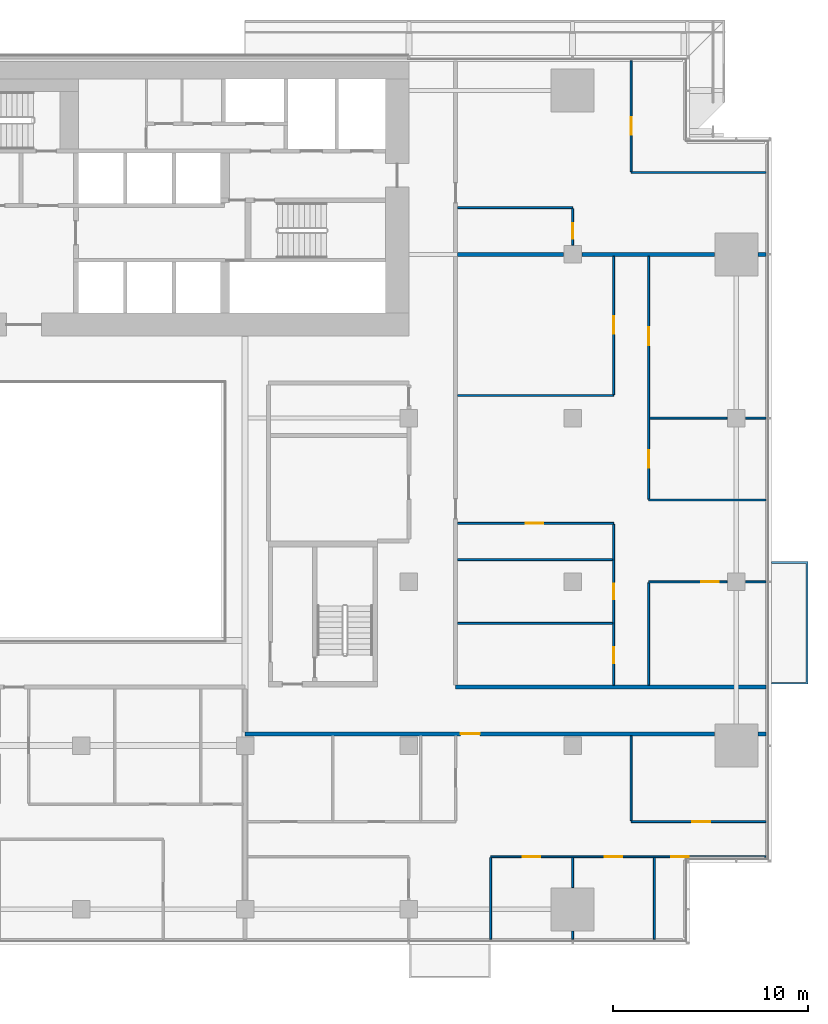
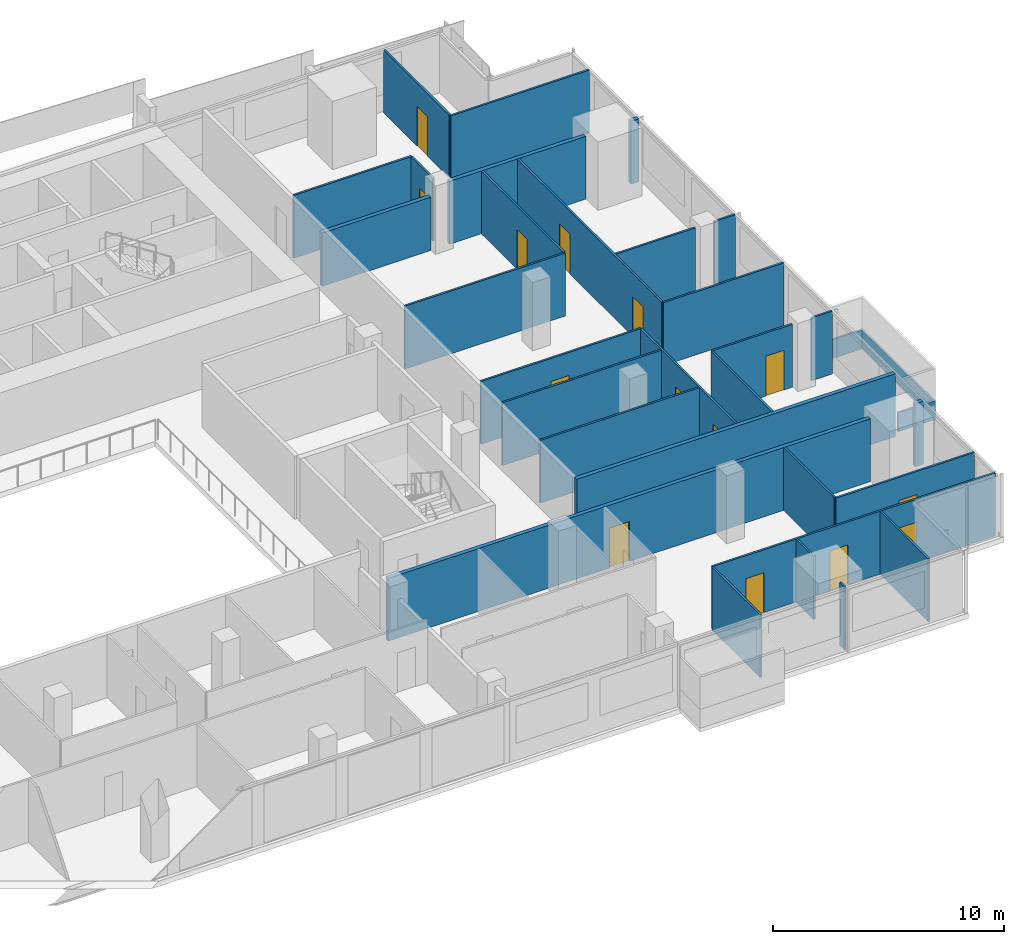
# One storey, part 23 of 29: 31 walls, 14 doors, 14 openings.
"""IFC4 building model written with IfcOpenShell, lengths in metres."""

import ifcopenshell
import ifcopenshell.guid

model = None  # the IFC model being written
_history = None  # IfcOwnerHistory: only IFC2X3 demands one
_inside = {}  # id of a spatial element -> (the spatial element, [elements in it])
_under = {}  # id of a project, library or spatial element -> (it, [spatial elements below it])
_declared = {}  # id of a project -> (the project, [libraries it declares])
_typed = {}  # id of a type object -> (the type object, [elements of that type])
_made_of = {}  # id of a material, layer set ... -> (it, [elements and type objects made of it])


def new_model(schema):
    """Start an empty IFC model of exactly this schema.

    Asked for "IFC4X3", IfcOpenShell would pick the latest addendum, in which some entities
    have other attributes; the version numbers below select the first issue.
    IFC2X3 requires an IfcOwnerHistory on every rooted entity: one is made here for all.
    """
    global model, _history
    if schema == "IFC4X3":
        model = ifcopenshell.file(schema_version=(4, 3, 0, 0))
    else:
        model = ifcopenshell.file(schema=schema)
    _inside.clear()
    _under.clear()
    _declared.clear()
    _typed.clear()
    _made_of.clear()
    _history = None
    if model.schema == "IFC2X3":
        org = make("IfcOrganization", Name="unknown")
        user = make(
            "IfcPersonAndOrganization",
            ThePerson=make("IfcPerson", FamilyName="unknown"),
            TheOrganization=org,
        )
        app = make(
            "IfcApplication",
            ApplicationDeveloper=org,
            Version="unknown",
            ApplicationFullName="unknown",
            ApplicationIdentifier="unknown",
        )
        _history = make(
            "IfcOwnerHistory",
            OwningUser=user,
            OwningApplication=app,
            ChangeAction="ADDED",
            CreationDate=0,
        )
    return model


def make(cls, **values):
    """One entity of the class cls with the attributes given. An attribute that is None is left unset."""
    return model.create_entity(
        cls, **{name: value for name, value in values.items() if value is not None}
    )


def rooted(cls, **values):
    """An entity with a GlobalId (a new one), such as an element, a storey or a relation."""
    return make(cls, GlobalId=ifcopenshell.guid.new(), OwnerHistory=_history, **values)


def si_unit(unit_type, name, prefix=None):
    """IfcSIUnit, for example si_unit("LENGTHUNIT", "METRE", prefix="MILLI")."""
    return make("IfcSIUnit", UnitType=unit_type, Prefix=prefix, Name=name)


def assignment(units):
    """IfcUnitAssignment: the units of a project."""
    return None if units is None else make("IfcUnitAssignment", Units=units)


def point(xyz):
    """IfcCartesianPoint."""
    return None if xyz is None else make("IfcCartesianPoint", Coordinates=xyz)


def direction(xyz):
    """IfcDirection."""
    return None if xyz is None else make("IfcDirection", DirectionRatios=xyz)


def frame(location, z_axis=None, x_axis=None):
    """IfcAxis2Placement3D, a coordinate frame: its origin and axes. An axis left out is left unset."""
    return make(
        "IfcAxis2Placement3D",
        Location=point(location),
        Axis=direction(z_axis),
        RefDirection=direction(x_axis),
    )


def frame_2d(location, x_axis=None):
    """IfcAxis2Placement2D, a coordinate frame in the plane: its origin and x axis."""
    return make(
        "IfcAxis2Placement2D", Location=point(location), RefDirection=direction(x_axis)
    )


def origin():
    """The frame at (0, 0, 0) with its axes left unset."""
    return frame((0.0, 0.0, 0.0))


def place(relative_to, where):
    """IfcLocalPlacement: puts the frame where relative to a parent placement (None: the world)."""
    return make(
        "IfcLocalPlacement", PlacementRelTo=relative_to, RelativePlacement=where
    )


def context(
    kind, dimensions, precision=None, world=None, true_north=None, identifier=None
):
    """IfcGeometricRepresentationContext, for example the 3D "Model" context."""
    return make(
        "IfcGeometricRepresentationContext",
        ContextIdentifier=identifier,
        ContextType=kind,
        CoordinateSpaceDimension=dimensions,
        Precision=precision,
        WorldCoordinateSystem=world,
        TrueNorth=true_north,
    )


def subcontext(parent, identifier, kind, view, scale=None):
    """IfcGeometricRepresentationSubContext, for example "Body" below "Model"."""
    return make(
        "IfcGeometricRepresentationSubContext",
        ContextIdentifier=identifier,
        ContextType=kind,
        ParentContext=parent,
        TargetScale=scale,
        TargetView=view,
    )


def project(units=None, contexts=None):
    """IfcProject with its units and contexts."""
    return rooted(
        "IfcProject",
        Name="project",
        RepresentationContexts=contexts,
        UnitsInContext=assignment(units),
    )


def spatial(cls, under=None, at=None, **own):
    """A site, building, storey or space (cls), placed at a placement, below another one or the project."""
    s = rooted(cls, ObjectPlacement=at, **own)
    if under is not None:
        _under.setdefault(under.id(), (under, []))[1].append(s)
    return s


def polyline(points):
    """IfcPolyline through the points."""
    return make("IfcPolyline", Points=[point(p) for p in points])


def profile(cls, at=None, kind="AREA", **sizes):
    """A parametric profile (cls). Its sizes go by their IFC names, for example OverallWidth=200.0."""
    return make(cls, ProfileType=kind, Position=at, **sizes)


def rectangle(**sizes):
    """IfcRectangleProfileDef."""
    return profile("IfcRectangleProfileDef", **sizes)


def outline(outer, holes=None, kind="AREA"):
    """IfcArbitraryClosedProfileDef: a profile drawn as a closed curve; with holes, ...WithVoids."""
    if holes is None:
        return make("IfcArbitraryClosedProfileDef", ProfileType=kind, OuterCurve=outer)
    return make(
        "IfcArbitraryProfileDefWithVoids",
        ProfileType=kind,
        OuterCurve=outer,
        InnerCurves=holes,
    )


def extrude(swept, where, along, depth):
    """IfcExtrudedAreaSolid: the profile swept, set in the frame where, extruded along a direction by depth."""
    return make(
        "IfcExtrudedAreaSolid",
        SweptArea=swept,
        Position=where,
        ExtrudedDirection=direction(along),
        Depth=depth,
    )


def shape(context_of_items, identifier, shape_type, items):
    """IfcShapeRepresentation: the items that make up one representation, for example the "Body"."""
    return make(
        "IfcShapeRepresentation",
        ContextOfItems=context_of_items,
        RepresentationIdentifier=identifier,
        RepresentationType=shape_type,
        Items=items,
    )


def material(Name=None, Category=None):
    """IfcMaterial."""
    return make("IfcMaterial", Name=Name, Category=Category)


def layer(
    of_material, thickness, ventilated=None, Name=None, Category=None, Priority=None
):
    """IfcMaterialLayer: one layer of a wall or slab, of a material (None: an air gap)."""
    return make(
        "IfcMaterialLayer",
        Material=of_material,
        LayerThickness=thickness,
        IsVentilated=ventilated,
        Name=Name,
        Category=Category,
        Priority=Priority,
    )


def layer_set(layers, Name=None):
    """IfcMaterialLayerSet."""
    return make("IfcMaterialLayerSet", MaterialLayers=layers, LayerSetName=Name)


def made_of(thing, what):
    """Note that an element or type object is made of a material, layer set ...; save() writes the relation."""
    if what is not None:
        _made_of.setdefault(what.id(), (what, []))[1].append(thing)
    return thing


def type_object(cls, material=None, **own):
    """A type object (cls), such as IfcWallType, which elements share."""
    return made_of(rooted(cls, **own), material)


def element(
    cls,
    number,
    at=None,
    inside=None,
    cuts=None,
    type_object=None,
    material=None,
    context=None,
    identifier="Body",
    shape_type=None,
    held_by="IfcProductDefinitionShape",
    body=None,
    shapes=None,
    **own,
):
    """One element of the class cls, such as IfcWall. Its Tag is "e" and its number.

    at: its placement. inside: the storey or other place that contains it. cuts: it is an
    opening in that element (IfcRelVoidsElement). A single representation is given by context,
    identifier, shape_type and body (its items); several are given by shapes. held_by: the class
    of the entity that holds the representations. save() writes the other relations.
    """
    e = rooted(cls, Tag="e%d" % number, ObjectPlacement=at, **own)
    if body is not None:
        shapes = [shape(context, identifier, shape_type, body)]
    if shapes is not None:
        e.Representation = make(held_by, Representations=shapes)
    if inside is not None:
        _inside.setdefault(inside.id(), (inside, []))[1].append(e)
    if cuts is not None:
        rooted(
            "IfcRelVoidsElement", RelatingBuildingElement=cuts, RelatedOpeningElement=e
        )
    if type_object is not None:
        _typed.setdefault(type_object.id(), (type_object, []))[1].append(e)
    return made_of(e, material)


def fill(opening, filler):
    """IfcRelFillsElement: the door or window that sits in an opening."""
    return rooted(
        "IfcRelFillsElement",
        RelatingOpeningElement=opening,
        RelatedBuildingElement=filler,
    )


def aggregate(whole, parts):
    """IfcRelAggregates: a whole, such as a stair, and the parts it consists of."""
    return rooted("IfcRelAggregates", RelatingObject=whole, RelatedObjects=parts)


def save(model, path):
    """Write the relations noted so far, then the file.

    IfcRelAggregates (storeys below a building ...), IfcRelContainedInSpatialStructure (elements
    in a storey), IfcRelDefinesByType, IfcRelAssociatesMaterial and IfcRelDeclares: one each for
    every whole, place, type object, material and project.
    """
    for whole, parts in _under.values():
        aggregate(whole, parts)
    for where, things in _inside.values():
        rooted(
            "IfcRelContainedInSpatialStructure",
            RelatedElements=things,
            RelatingStructure=where,
        )
    for kind, things in _typed.values():
        rooted("IfcRelDefinesByType", RelatedObjects=things, RelatingType=kind)
    for what, things in _made_of.values():
        rooted("IfcRelAssociatesMaterial", RelatedObjects=things, RelatingMaterial=what)
    for by, libraries in _declared.values():
        rooted("IfcRelDeclares", RelatingContext=by, RelatedDefinitions=libraries)
    model.write(path)


model = new_model("IFC4")

# Units and contexts
model_context = context("Model", 3, precision=1e-05, world=origin(), true_north=direction((0.0, 1.0)))
body_context = subcontext(model_context, "Body", "Model", "MODEL_VIEW")
ifc_project = project(units=[si_unit("LENGTHUNIT", "METRE"), si_unit("AREAUNIT", "SQUARE_METRE"), si_unit("VOLUMEUNIT", "CUBIC_METRE"), si_unit("PLANEANGLEUNIT", "RADIAN"), si_unit("MASSUNIT", "GRAM", prefix="KILO")], contexts=[model_context])

# Site, building, storey
site_placement = place(None, origin())
site = spatial("IfcSite", under=ifc_project, at=site_placement, CompositionType="ELEMENT")
building_placement = place(site_placement, origin())
building = spatial("IfcBuilding", under=site, at=building_placement, Name="Saffron Gate Tower", CompositionType="ELEMENT")
storey_placement = place(building_placement, frame((0.0, 0.0, 58.800048828125)))
storey = spatial("IfcBuildingStorey", under=building, at=storey_placement, Name="L13", CompositionType="ELEMENT", Elevation=58.800048828125)

# Wall, openings, doors
ifc_material_1 = material(Name="Plasterboard on steel studs", Category="steel")
ifc_layer_1 = layer(ifc_material_1, 0.10009765625)
ifc_layer_set_1 = layer_set([ifc_layer_1], Name="PW1 Partition 100")
wall_type_1 = type_object("IfcWallType", Name="PW1 Partition 100", PredefinedType="PARTITIONING", material=ifc_layer_set_1)
wall_1_placement = place(storey_placement, frame((126.919921875, 34.5, 0.0), z_axis=(0.0, 0.0, 1.0), x_axis=(-1.0, 0.0, 0.0)))
wall_1 = element("IfcWall", 1, at=wall_1_placement, inside=storey, type_object=wall_type_1, Name="Partition A3-3", PredefinedType="PARTITIONING", context=body_context, shape_type="SweptSolid", body=[
    extrude(rectangle(XDim=14.119873046875, YDim=0.10009765625, at=frame_2d((7.06005859375, 0.0))), origin(), (0.0, 0.0, 1.0), 3.320068359375),
])
opening_1_placement = place(wall_1_placement, frame((3.96630859375, 0.0, 0.0)))
opening_1 = element("IfcOpeningElement", 2, at=opening_1_placement, cuts=wall_1, Name="Opening A3-22", PredefinedType="OPENING", context=body_context, shape_type="SweptSolid", body=[
    extrude(rectangle(XDim=0.89990234375, YDim=2.10009765625, at=frame_2d((0.449951171875, 1.050048828125))), frame((0.0, 0.06005859375, 0.0), z_axis=(0.0, -1.0, 0.0), x_axis=(1.0, 0.0, 0.0)), (0.0, 0.0, 1.0), 0.1201171875),
])
opening_2_placement = place(wall_1_placement, frame((7.3701171875, 0.0, 0.0)))
opening_2 = element("IfcOpeningElement", 3, at=opening_2_placement, cuts=wall_1, Name="Opening A3-21", PredefinedType="OPENING", context=body_context, shape_type="SweptSolid", body=[
    extrude(rectangle(XDim=0.89990234375, YDim=2.10009765625, at=frame_2d((0.449951171875, 1.050048828125))), frame((0.0, 0.06005859375, 0.0), z_axis=(0.0, -1.0, 0.0), x_axis=(1.0, 0.0, 0.0)), (0.0, 0.0, 1.0), 0.1201171875),
])
opening_3_placement = place(wall_1_placement, frame((11.570068359375, 0.0, 0.0)))
opening_3 = element("IfcOpeningElement", 4, at=opening_3_placement, cuts=wall_1, Name="Opening A3-20", PredefinedType="OPENING", context=body_context, shape_type="SweptSolid", body=[
    extrude(rectangle(XDim=0.89990234375, YDim=2.10009765625, at=frame_2d((0.449951171875, 1.050048828125))), frame((0.0, 0.06005859375, 0.0), z_axis=(0.0, -1.0, 0.0), x_axis=(1.0, 0.0, 0.0)), (0.0, 0.0, 1.0), 0.1201171875),
])
ifc_material_2 = material(Name="Timber door set", Category="wood")
door_type_1 = type_object("IfcDoorType", Name="RD1 Room door 900x2100", OperationType="NOTDEFINED", PredefinedType="DOOR", material=ifc_material_2)
door_1_placement = place(opening_1_placement, origin())
door_1 = element("IfcDoor", 5, at=door_1_placement, inside=storey, type_object=door_type_1, Name="Door A3-22", OperationType="SINGLE_SWING_RIGHT", OverallHeight=2.10009765625, OverallWidth=0.89990234375, PredefinedType="DOOR", context=body_context, shape_type="SweptSolid", body=[
    extrude(rectangle(XDim=0.89990234375, YDim=2.10009765625, at=frame_2d((0.449951171875, 1.050048828125))), frame((0.0, 0.02490234375, 0.0), z_axis=(0.0, -1.0, 0.0), x_axis=(1.0, 0.0, 0.0)), (0.0, 0.0, 1.0), 0.050048828125),
])
fill(opening_1, door_1)
door_2_placement = place(opening_2_placement, origin())
door_2 = element("IfcDoor", 6, at=door_2_placement, inside=storey, type_object=door_type_1, Name="Door A3-21", OperationType="SINGLE_SWING_RIGHT", OverallHeight=2.10009765625, OverallWidth=0.89990234375, PredefinedType="DOOR", context=body_context, shape_type="SweptSolid", body=[
    extrude(rectangle(XDim=0.89990234375, YDim=2.10009765625, at=frame_2d((0.449951171875, 1.050048828125))), frame((0.0, 0.02490234375, 0.0), z_axis=(0.0, -1.0, 0.0), x_axis=(1.0, 0.0, 0.0)), (0.0, 0.0, 1.0), 0.050048828125),
])
fill(opening_2, door_2)
door_3_placement = place(opening_3_placement, origin())
door_3 = element("IfcDoor", 7, at=door_3_placement, inside=storey, type_object=door_type_1, Name="Door A3-20", OperationType="SINGLE_SWING_LEFT", OverallHeight=2.10009765625, OverallWidth=0.89990234375, PredefinedType="DOOR", context=body_context, shape_type="SweptSolid", body=[
    extrude(rectangle(XDim=0.89990234375, YDim=2.10009765625, at=frame_2d((0.449951171875, 1.050048828125))), frame((0.0, 0.02490234375, 0.0), z_axis=(0.0, -1.0, 0.0), x_axis=(1.0, 0.0, 0.0)), (0.0, 0.0, 1.0), 0.050048828125),
])
fill(opening_3, door_3)

# Wall, opening, door
wall_2_placement = place(storey_placement, frame((120.0, 36.300048828125, 0.0), z_axis=(0.0, 0.0, 1.0), x_axis=(1.0, 0.0, 0.0)))
wall_2 = element("IfcWall", 8, at=wall_2_placement, inside=storey, type_object=wall_type_1, Name="Partition A3-8", PredefinedType="PARTITIONING", context=body_context, shape_type="SweptSolid", body=[
    extrude(rectangle(XDim=6.919921875, YDim=0.10009765625, at=frame_2d((3.4599609375, 0.0))), origin(), (0.0, 0.0, 1.0), 3.320068359375),
])
opening_4_placement = place(wall_2_placement, frame((3.14990234375, 0.0, 0.0)))
opening_4 = element("IfcOpeningElement", 9, at=opening_4_placement, cuts=wall_2, Name="Opening A3-23", PredefinedType="OPENING", context=body_context, shape_type="SweptSolid", body=[
    extrude(rectangle(XDim=0.89990234375, YDim=2.10009765625, at=frame_2d((0.449951171875, 1.050048828125))), frame((0.0, 0.06005859375, 0.0), z_axis=(0.0, -1.0, 0.0), x_axis=(1.0, 0.0, 0.0)), (0.0, 0.0, 1.0), 0.1201171875),
])
door_4_placement = place(opening_4_placement, origin())
door_4 = element("IfcDoor", 10, at=door_4_placement, inside=storey, type_object=door_type_1, Name="Door A3-23", OperationType="SINGLE_SWING_RIGHT", OverallHeight=2.10009765625, OverallWidth=0.89990234375, PredefinedType="DOOR", context=body_context, shape_type="SweptSolid", body=[
    extrude(rectangle(XDim=0.89990234375, YDim=2.10009765625, at=frame_2d((0.449951171875, 1.050048828125))), frame((0.0, 0.02490234375, 0.0), z_axis=(0.0, -1.0, 0.0), x_axis=(1.0, 0.0, 0.0)), (0.0, 0.0, 1.0), 0.050048828125),
])
fill(opening_4, door_4)

# Wall
wall_3_placement = place(storey_placement, frame((111.10009765625, 46.4716796875, 0.0), z_axis=(0.0, 0.0, 1.0), x_axis=(1.0, 0.0, 0.0)))
element("IfcWall", 11, at=wall_3_placement, inside=storey, type_object=wall_type_1, Name="Partition A3-18", PredefinedType="PARTITIONING", context=body_context, shape_type="SweptSolid", body=[
    extrude(rectangle(XDim=7.949951171875, YDim=0.10009765625, at=frame_2d((3.97509765625, 0.0))), origin(), (0.0, 0.0, 1.0), 3.320068359375),
])

# Wall, opening, door
wall_4_placement = place(storey_placement, frame((124.929931640625, 48.60009765625, 0.0), z_axis=(0.0, 0.0, 1.0), x_axis=(-1.0, 0.0, 0.0)))
wall_4 = element("IfcWall", 12, at=wall_4_placement, inside=storey, type_object=wall_type_1, Name="Partition A3-21", PredefinedType="PARTITIONING", context=body_context, shape_type="SweptSolid", body=[
    extrude(rectangle(XDim=4.030029296875, YDim=0.10009765625, at=frame_2d((2.01513671875, 0.0))), origin(), (0.0, 0.0, 1.0), 3.320068359375),
])
opening_5_placement = place(wall_4_placement, frame((0.429931640625, 0.0, 0.0)))
opening_5 = element("IfcOpeningElement", 13, at=opening_5_placement, cuts=wall_4, Name="Opening A3-30", PredefinedType="OPENING", context=body_context, shape_type="SweptSolid", body=[
    extrude(rectangle(XDim=0.89990234375, YDim=2.10009765625, at=frame_2d((0.449951171875, 1.050048828125))), frame((0.0, 0.06005859375, 0.0), z_axis=(0.0, -1.0, 0.0), x_axis=(1.0, 0.0, 0.0)), (0.0, 0.0, 1.0), 0.1201171875),
])
door_5_placement = place(opening_5_placement, origin())
door_5 = element("IfcDoor", 14, at=door_5_placement, inside=storey, type_object=door_type_1, Name="Door A3-30", OperationType="SINGLE_SWING_LEFT", OverallHeight=2.10009765625, OverallWidth=0.89990234375, PredefinedType="DOOR", context=body_context, shape_type="SweptSolid", body=[
    extrude(rectangle(XDim=0.89990234375, YDim=2.10009765625, at=frame_2d((0.449951171875, 1.050048828125))), frame((0.0, 0.02490234375, 0.0), z_axis=(0.0, -1.0, 0.0), x_axis=(1.0, 0.0, 0.0)), (0.0, 0.0, 1.0), 0.050048828125),
])
fill(opening_5, door_5)

# Walls
wall_5_placement = place(storey_placement, frame((125.8701171875, 48.60009765625, 0.0), z_axis=(0.0, 0.0, 1.0), x_axis=(1.0, 0.0, 0.0)))
element("IfcWall", 15, at=wall_5_placement, inside=storey, type_object=wall_type_1, Name="Partition A3-22", PredefinedType="PARTITIONING", context=body_context, shape_type="SweptSolid", body=[
    extrude(rectangle(XDim=1.0498046875, YDim=0.10009765625, at=frame_2d((0.52490234375, 0.0))), origin(), (0.0, 0.0, 1.0), 3.320068359375),
])
wall_6_placement = place(storey_placement, frame((111.10009765625, 49.7431640625, 0.0), z_axis=(0.0, 0.0, 1.0), x_axis=(1.0, 0.0, 0.0)))
element("IfcWall", 16, at=wall_6_placement, inside=storey, type_object=wall_type_1, Name="Partition A3-25", PredefinedType="PARTITIONING", context=body_context, shape_type="SweptSolid", body=[
    extrude(rectangle(XDim=7.949951171875, YDim=0.10009765625, at=frame_2d((3.97509765625, 0.0))), origin(), (0.0, 0.0, 1.0), 3.320068359375),
])

# Wall, opening, door
wall_7_placement = place(storey_placement, frame((119.10009765625, 51.60009765625, 0.0), z_axis=(0.0, 0.0, 1.0), x_axis=(-1.0, 0.0, 0.0)))
wall_7 = element("IfcWall", 17, at=wall_7_placement, inside=storey, type_object=wall_type_1, Name="Partition A3-28", PredefinedType="PARTITIONING", context=body_context, shape_type="SweptSolid", body=[
    extrude(rectangle(XDim=8.0, YDim=0.10009765625, at=frame_2d((4.0, 0.0))), origin(), (0.0, 0.0, 1.0), 3.320068359375),
])
opening_6_placement = place(wall_7_placement, frame((3.60009765625, 0.0, 0.0)))
opening_6 = element("IfcOpeningElement", 18, at=opening_6_placement, cuts=wall_7, Name="Opening A3-34", PredefinedType="OPENING", context=body_context, shape_type="SweptSolid", body=[
    extrude(rectangle(XDim=0.89990234375, YDim=2.10009765625, at=frame_2d((0.449951171875, 1.050048828125))), frame((0.0, 0.06005859375, 0.0), z_axis=(0.0, -1.0, 0.0), x_axis=(1.0, 0.0, 0.0)), (0.0, 0.0, 1.0), 0.1201171875),
])
door_6_placement = place(opening_6_placement, origin())
door_6 = element("IfcDoor", 19, at=door_6_placement, inside=storey, type_object=door_type_1, Name="Door A3-34", OperationType="SINGLE_SWING_RIGHT", OverallHeight=2.10009765625, OverallWidth=0.89990234375, PredefinedType="DOOR", context=body_context, shape_type="SweptSolid", body=[
    extrude(rectangle(XDim=0.89990234375, YDim=2.10009765625, at=frame_2d((0.449951171875, 1.050048828125))), frame((0.0, 0.02490234375, 0.0), z_axis=(0.0, -1.0, 0.0), x_axis=(1.0, 0.0, 0.0)), (0.0, 0.0, 1.0), 0.050048828125),
])
fill(opening_6, door_6)

# Walls
wall_8_placement = place(storey_placement, frame((120.89990234375, 52.800048828125, 0.0), z_axis=(0.0, 0.0, 1.0), x_axis=(1.0, 0.0, 0.0)))
element("IfcWall", 20, at=wall_8_placement, inside=storey, type_object=wall_type_1, Name="Partition A3-30", PredefinedType="PARTITIONING", context=body_context, shape_type="SweptSolid", body=[
    extrude(rectangle(XDim=6.02001953125, YDim=0.10009765625, at=frame_2d((3.010009765625, 0.0))), origin(), (0.0, 0.0, 1.0), 3.320068359375),
])
wall_9_placement = place(storey_placement, frame((120.949951171875, 57.0, 0.0), z_axis=(0.0, 0.0, 1.0), x_axis=(1.0, 0.0, 0.0)))
element("IfcWall", 21, at=wall_9_placement, inside=storey, type_object=wall_type_1, Name="Partition A3-36", PredefinedType="PARTITIONING", context=body_context, shape_type="SweptSolid", body=[
    extrude(rectangle(XDim=3.97998046875, YDim=0.10009765625, at=frame_2d((1.989990234375, 0.0))), origin(), (0.0, 0.0, 1.0), 3.320068359375),
])
wall_10_placement = place(storey_placement, frame((125.8701171875, 57.0, 0.0), z_axis=(0.0, 0.0, 1.0), x_axis=(1.0, 0.0, 0.0)))
element("IfcWall", 22, at=wall_10_placement, inside=storey, type_object=wall_type_1, Name="Partition A3-37", PredefinedType="PARTITIONING", context=body_context, shape_type="SweptSolid", body=[
    extrude(rectangle(XDim=1.0498046875, YDim=0.10009765625, at=frame_2d((0.52490234375, 0.0))), origin(), (0.0, 0.0, 1.0), 3.320068359375),
])
wall_11_placement = place(storey_placement, frame((111.10009765625, 58.16162109375, 0.0), z_axis=(0.0, 0.0, 1.0), x_axis=(1.0, 0.0, 0.0)))
element("IfcWall", 23, at=wall_11_placement, inside=storey, type_object=wall_type_1, Name="Partition A3-38", PredefinedType="PARTITIONING", context=body_context, shape_type="SweptSolid", body=[
    extrude(rectangle(XDim=8.0, YDim=0.10009765625, at=frame_2d((4.0, 0.0))), origin(), (0.0, 0.0, 1.0), 3.320068359375),
])
wall_12_placement = place(storey_placement, frame((111.10009765625, 67.800048828125, 0.0), z_axis=(0.0, 0.0, 1.0), x_axis=(1.0, 0.0, 0.0)))
element("IfcWall", 24, at=wall_12_placement, inside=storey, type_object=wall_type_1, Name="Partition A3-47", PredefinedType="PARTITIONING", context=body_context, shape_type="SweptSolid", body=[
    extrude(rectangle(XDim=5.89990234375, YDim=0.10009765625, at=frame_2d((2.949951171875, 0.0))), origin(), (0.0, 0.0, 1.0), 3.320068359375),
])
wall_13_placement = place(storey_placement, frame((120.0, 69.60009765625, 0.0), z_axis=(0.0, 0.0, 1.0), x_axis=(1.0, 0.0, 0.0)))
element("IfcWall", 25, at=wall_13_placement, inside=storey, type_object=wall_type_1, Name="Partition A3-50", PredefinedType="PARTITIONING", context=body_context, shape_type="SweptSolid", body=[
    extrude(rectangle(XDim=6.919921875, YDim=0.10009765625, at=frame_2d((3.4599609375, 0.0))), origin(), (0.0, 0.0, 1.0), 3.320068359375),
])
wall_14_placement = place(storey_placement, frame((112.800048828125, 34.449951171875, 0.0), z_axis=(0.0, 0.0, 1.0), x_axis=(0.0, -1.0, 0.0)))
element("IfcWall", 26, at=wall_14_placement, inside=storey, type_object=wall_type_1, Name="Partition A3-94", PredefinedType="PARTITIONING", context=body_context, shape_type="SweptSolid", body=[
    extrude(rectangle(XDim=4.169921875, YDim=0.10009765625, at=frame_2d((2.0849609375, 0.0))), origin(), (0.0, 0.0, 1.0), 3.320068359375),
])
wall_15_placement = place(storey_placement, frame((117.0, 30.679931640625, 0.0), z_axis=(0.0, 0.0, 1.0), x_axis=(0.0, -1.0, 0.0)))
element("IfcWall", 27, at=wall_15_placement, inside=storey, type_object=wall_type_1, Name="Partition A3-95", PredefinedType="PARTITIONING", context=body_context, shape_type="SweptSolid", body=[
    extrude(rectangle(XDim=0.39990234375, YDim=0.10009765625, at=frame_2d((0.199951171875, 0.0))), origin(), (0.0, 0.0, 1.0), 3.320068359375),
])
wall_16_placement = place(storey_placement, frame((117.0, 34.449951171875, 0.0), z_axis=(0.0, 0.0, 1.0), x_axis=(0.0, -1.0, 0.0)))
element("IfcWall", 28, at=wall_16_placement, inside=storey, type_object=wall_type_1, Name="Partition A3-96", PredefinedType="PARTITIONING", context=body_context, shape_type="SweptSolid", body=[
    extrude(rectangle(XDim=1.530029296875, YDim=0.10009765625, at=frame_2d((0.76513671875, 0.0))), origin(), (0.0, 0.0, 1.0), 3.320068359375),
])

# Wall, opening, door
wall_17_placement = place(storey_placement, frame((117.0, 65.8701171875, 0.0), z_axis=(0.0, 0.0, 1.0), x_axis=(0.0, 1.0, 0.0)))
wall_17 = element("IfcWall", 29, at=wall_17_placement, inside=storey, type_object=wall_type_1, Name="Partition A3-97", PredefinedType="PARTITIONING", context=body_context, shape_type="SweptSolid", body=[
    extrude(rectangle(XDim=1.8798828125, YDim=0.10009765625, at=frame_2d((0.93994140625, 0.0))), origin(), (0.0, 0.0, 1.0), 3.320068359375),
])
opening_7_placement = place(wall_17_placement, frame((0.330078125, 0.0, 0.0)))
opening_7 = element("IfcOpeningElement", 30, at=opening_7_placement, cuts=wall_17, Name="Opening A3-48", PredefinedType="OPENING", context=body_context, shape_type="SweptSolid", body=[
    extrude(rectangle(XDim=0.800048828125, YDim=2.10009765625, at=frame_2d((0.39990234375, 1.050048828125))), frame((0.0, 0.06005859375, 0.0), z_axis=(0.0, -1.0, 0.0), x_axis=(1.0, 0.0, 0.0)), (0.0, 0.0, 1.0), 0.1201171875),
])
door_type_2 = type_object("IfcDoorType", Name="RD2 Bathroom door 800x2100", OperationType="NOTDEFINED", PredefinedType="DOOR", material=ifc_material_2)
door_7_placement = place(opening_7_placement, origin())
door_7 = element("IfcDoor", 31, at=door_7_placement, inside=storey, type_object=door_type_2, Name="Door A3-48", OperationType="SINGLE_SWING_LEFT", OverallHeight=2.10009765625, OverallWidth=0.800048828125, PredefinedType="DOOR", context=body_context, shape_type="SweptSolid", body=[
    extrude(rectangle(XDim=0.800048828125, YDim=2.10009765625, at=frame_2d((0.39990234375, 1.050048828125))), frame((0.0, 0.02490234375, 0.0), z_axis=(0.0, -1.0, 0.0), x_axis=(1.0, 0.0, 0.0)), (0.0, 0.0, 1.0), 0.050048828125),
])
fill(opening_7, door_7)

# Wall, openings, doors
wall_18_placement = place(storey_placement, frame((119.10009765625, 43.300048828125, 0.0), z_axis=(0.0, 0.0, 1.0), x_axis=(0.0, 1.0, 0.0)))
wall_18 = element("IfcWall", 32, at=wall_18_placement, inside=storey, type_object=wall_type_1, Name="Partition A3-98", PredefinedType="PARTITIONING", context=body_context, shape_type="SweptSolid", body=[
    extrude(rectangle(XDim=8.25, YDim=0.10009765625, at=frame_2d((4.125, 0.0))), origin(), (0.0, 0.0, 1.0), 3.320068359375),
])
opening_8_placement = place(wall_18_placement, frame((1.1357421875, 0.0, 0.0)))
opening_8 = element("IfcOpeningElement", 33, at=opening_8_placement, cuts=wall_18, Name="Opening A3-46", PredefinedType="OPENING", context=body_context, shape_type="SweptSolid", body=[
    extrude(rectangle(XDim=0.800048828125, YDim=2.10009765625, at=frame_2d((0.39990234375, 1.050048828125))), frame((0.0, 0.06005859375, 0.0), z_axis=(0.0, -1.0, 0.0), x_axis=(1.0, 0.0, 0.0)), (0.0, 0.0, 1.0), 0.1201171875),
])
opening_9_placement = place(wall_18_placement, frame((4.407470703125, 0.0, 0.0)))
opening_9 = element("IfcOpeningElement", 34, at=opening_9_placement, cuts=wall_18, Name="Opening A3-47", PredefinedType="OPENING", context=body_context, shape_type="SweptSolid", body=[
    extrude(rectangle(XDim=0.800048828125, YDim=2.10009765625, at=frame_2d((0.39990234375, 1.050048828125))), frame((0.0, 0.06005859375, 0.0), z_axis=(0.0, -1.0, 0.0), x_axis=(1.0, 0.0, 0.0)), (0.0, 0.0, 1.0), 0.1201171875),
])
door_8_placement = place(opening_8_placement, origin())
door_8 = element("IfcDoor", 35, at=door_8_placement, inside=storey, type_object=door_type_2, Name="Door A3-46", OperationType="SINGLE_SWING_LEFT", OverallHeight=2.10009765625, OverallWidth=0.800048828125, PredefinedType="DOOR", context=body_context, shape_type="SweptSolid", body=[
    extrude(rectangle(XDim=0.800048828125, YDim=2.10009765625, at=frame_2d((0.39990234375, 1.050048828125))), frame((0.0, 0.02490234375, 0.0), z_axis=(0.0, -1.0, 0.0), x_axis=(1.0, 0.0, 0.0)), (0.0, 0.0, 1.0), 0.050048828125),
])
fill(opening_8, door_8)
door_9_placement = place(opening_9_placement, origin())
door_9 = element("IfcDoor", 36, at=door_9_placement, inside=storey, type_object=door_type_2, Name="Door A3-47", OperationType="SINGLE_SWING_LEFT", OverallHeight=2.10009765625, OverallWidth=0.800048828125, PredefinedType="DOOR", context=body_context, shape_type="SweptSolid", body=[
    extrude(rectangle(XDim=0.800048828125, YDim=2.10009765625, at=frame_2d((0.39990234375, 1.050048828125))), frame((0.0, 0.02490234375, 0.0), z_axis=(0.0, -1.0, 0.0), x_axis=(1.0, 0.0, 0.0)), (0.0, 0.0, 1.0), 0.050048828125),
])
fill(opening_9, door_9)

# Wall, opening, door
wall_19_placement = place(storey_placement, frame((119.10009765625, 58.211669921875, 0.0), z_axis=(0.0, 0.0, 1.0), x_axis=(0.0, 1.0, 0.0)))
wall_19 = element("IfcWall", 37, at=wall_19_placement, inside=storey, type_object=wall_type_1, Name="Partition A3-99", PredefinedType="PARTITIONING", context=body_context, shape_type="SweptSolid", body=[
    extrude(rectangle(XDim=7.08837890625, YDim=0.10009765625, at=frame_2d((3.544189453125, 0.0))), origin(), (0.0, 0.0, 1.0), 3.320068359375),
])
opening_10_placement = place(wall_19_placement, frame((3.119140625, 0.0, 0.0)))
opening_10 = element("IfcOpeningElement", 38, at=opening_10_placement, cuts=wall_19, Name="Opening A3-33", PredefinedType="OPENING", context=body_context, shape_type="SweptSolid", body=[
    extrude(rectangle(XDim=0.89990234375, YDim=2.10009765625, at=frame_2d((0.449951171875, 1.050048828125))), frame((0.0, 0.06005859375, 0.0), z_axis=(0.0, -1.0, 0.0), x_axis=(1.0, 0.0, 0.0)), (0.0, 0.0, 1.0), 0.1201171875),
])
door_10_placement = place(opening_10_placement, origin())
door_10 = element("IfcDoor", 39, at=door_10_placement, inside=storey, type_object=door_type_1, Name="Door A3-33", OperationType="SINGLE_SWING_RIGHT", OverallHeight=2.10009765625, OverallWidth=0.89990234375, PredefinedType="DOOR", context=body_context, shape_type="SweptSolid", body=[
    extrude(rectangle(XDim=0.89990234375, YDim=2.10009765625, at=frame_2d((0.449951171875, 1.050048828125))), frame((0.0, 0.02490234375, 0.0), z_axis=(0.0, -1.0, 0.0), x_axis=(1.0, 0.0, 0.0)), (0.0, 0.0, 1.0), 0.050048828125),
])
fill(opening_10, door_10)

# Wall
wall_20_placement = place(storey_placement, frame((120.0, 40.699951171875, 0.0), z_axis=(0.0, 0.0, 1.0), x_axis=(0.0, -1.0, 0.0)))
element("IfcWall", 40, at=wall_20_placement, inside=storey, type_object=wall_type_1, Name="Partition A3-100", PredefinedType="PARTITIONING", context=body_context, shape_type="SweptSolid", body=[
    extrude(rectangle(XDim=4.349853515625, YDim=0.10009765625, at=frame_2d((2.1748046875, 0.0))), origin(), (0.0, 0.0, 1.0), 3.320068359375),
])

# Wall, opening, door
wall_21_placement = place(storey_placement, frame((120.0, 75.320068359375, 0.0), z_axis=(0.0, 0.0, 1.0), x_axis=(0.0, -1.0, 0.0)))
wall_21 = element("IfcWall", 41, at=wall_21_placement, inside=storey, type_object=wall_type_1, Name="Partition A3-101", PredefinedType="PARTITIONING", context=body_context, shape_type="SweptSolid", body=[
    extrude(rectangle(XDim=5.670166015625, YDim=0.10009765625, at=frame_2d((2.8349609375, 0.0))), origin(), (0.0, 0.0, 1.0), 3.320068359375),
])
opening_11_placement = place(wall_21_placement, frame((2.89111328125, 0.0, 0.0)))
opening_11 = element("IfcOpeningElement", 42, at=opening_11_placement, cuts=wall_21, Name="Opening A3-35", PredefinedType="OPENING", context=body_context, shape_type="SweptSolid", body=[
    extrude(rectangle(XDim=0.89990234375, YDim=2.10009765625, at=frame_2d((0.449951171875, 1.050048828125))), frame((0.0, 0.06005859375, 0.0), z_axis=(0.0, -1.0, 0.0), x_axis=(1.0, 0.0, 0.0)), (0.0, 0.0, 1.0), 0.1201171875),
])
door_11_placement = place(opening_11_placement, origin())
door_11 = element("IfcDoor", 43, at=door_11_placement, inside=storey, type_object=door_type_1, Name="Door A3-35", OperationType="SINGLE_SWING_RIGHT", OverallHeight=2.10009765625, OverallWidth=0.89990234375, PredefinedType="DOOR", context=body_context, shape_type="SweptSolid", body=[
    extrude(rectangle(XDim=0.89990234375, YDim=2.10009765625, at=frame_2d((0.449951171875, 1.050048828125))), frame((0.0, 0.02490234375, 0.0), z_axis=(0.0, -1.0, 0.0), x_axis=(1.0, 0.0, 0.0)), (0.0, 0.0, 1.0), 0.050048828125),
])
fill(opening_11, door_11)

# Wall
wall_22_placement = place(storey_placement, frame((120.89990234375, 48.550048828125, 0.0), z_axis=(0.0, 0.0, 1.0), x_axis=(0.0, -1.0, 0.0)))
element("IfcWall", 44, at=wall_22_placement, inside=storey, type_object=wall_type_1, Name="Partition A3-102", PredefinedType="PARTITIONING", context=body_context, shape_type="SweptSolid", body=[
    extrude(rectangle(XDim=5.25, YDim=0.10009765625, at=frame_2d((2.625, 0.0))), origin(), (0.0, 0.0, 1.0), 3.320068359375),
])

# Wall, openings, doors
wall_23_placement = place(storey_placement, frame((120.89990234375, 65.300048828125, 0.0), z_axis=(0.0, 0.0, 1.0), x_axis=(0.0, -1.0, 0.0)))
wall_23 = element("IfcWall", 45, at=wall_23_placement, inside=storey, type_object=wall_type_1, Name="Partition A3-103", PredefinedType="PARTITIONING", context=body_context, shape_type="SweptSolid", body=[
    extrude(rectangle(XDim=12.449951171875, YDim=0.10009765625, at=frame_2d((6.22509765625, 0.0))), origin(), (0.0, 0.0, 1.0), 3.320068359375),
])
opening_12_placement = place(wall_23_placement, frame((3.64990234375, 0.0, 0.0)))
opening_12 = element("IfcOpeningElement", 46, at=opening_12_placement, cuts=wall_23, Name="Opening A3-32", PredefinedType="OPENING", context=body_context, shape_type="SweptSolid", body=[
    extrude(rectangle(XDim=0.89990234375, YDim=2.10009765625, at=frame_2d((0.449951171875, 1.050048828125))), frame((0.0, 0.06005859375, 0.0), z_axis=(0.0, -1.0, 0.0), x_axis=(1.0, 0.0, 0.0)), (0.0, 0.0, 1.0), 0.1201171875),
])
opening_13_placement = place(wall_23_placement, frame((9.949951171875, 0.0, 0.0)))
opening_13 = element("IfcOpeningElement", 47, at=opening_13_placement, cuts=wall_23, Name="Opening A3-31", PredefinedType="OPENING", context=body_context, shape_type="SweptSolid", body=[
    extrude(rectangle(XDim=0.89990234375, YDim=2.10009765625, at=frame_2d((0.449951171875, 1.050048828125))), frame((0.0, 0.06005859375, 0.0), z_axis=(0.0, -1.0, 0.0), x_axis=(1.0, 0.0, 0.0)), (0.0, 0.0, 1.0), 0.1201171875),
])
door_12_placement = place(opening_12_placement, origin())
door_12 = element("IfcDoor", 48, at=door_12_placement, inside=storey, type_object=door_type_1, Name="Door A3-32", OperationType="SINGLE_SWING_LEFT", OverallHeight=2.10009765625, OverallWidth=0.89990234375, PredefinedType="DOOR", context=body_context, shape_type="SweptSolid", body=[
    extrude(rectangle(XDim=0.89990234375, YDim=2.10009765625, at=frame_2d((0.449951171875, 1.050048828125))), frame((0.0, 0.02490234375, 0.0), z_axis=(0.0, -1.0, 0.0), x_axis=(1.0, 0.0, 0.0)), (0.0, 0.0, 1.0), 0.050048828125),
])
fill(opening_12, door_12)
door_13_placement = place(opening_13_placement, origin())
door_13 = element("IfcDoor", 49, at=door_13_placement, inside=storey, type_object=door_type_1, Name="Door A3-31", OperationType="SINGLE_SWING_RIGHT", OverallHeight=2.10009765625, OverallWidth=0.89990234375, PredefinedType="DOOR", context=body_context, shape_type="SweptSolid", body=[
    extrude(rectangle(XDim=0.89990234375, YDim=2.10009765625, at=frame_2d((0.449951171875, 1.050048828125))), frame((0.0, 0.02490234375, 0.0), z_axis=(0.0, -1.0, 0.0), x_axis=(1.0, 0.0, 0.0)), (0.0, 0.0, 1.0), 0.050048828125),
])
fill(opening_13, door_13)

# Walls
wall_24_placement = place(storey_placement, frame((121.199951171875, 34.449951171875, 0.0), z_axis=(0.0, 0.0, 1.0), x_axis=(0.0, -1.0, 0.0)))
element("IfcWall", 50, at=wall_24_placement, inside=storey, type_object=wall_type_1, Name="Partition A3-104", PredefinedType="PARTITIONING", context=body_context, shape_type="SweptSolid", body=[
    extrude(rectangle(XDim=4.169921875, YDim=0.10009765625, at=frame_2d((2.0849609375, 0.0))), origin(), (0.0, 0.0, 1.0), 3.320068359375),
])
ifc_material_3 = material(Name="Clay brick masonry, rendered", Category="masonry")
ifc_layer_2 = layer(ifc_material_3, 0.199951171875)
ifc_layer_set_2 = layer_set([ifc_layer_2], Name="PW2 Demising wall 200")
wall_type_2 = type_object("IfcWallType", Name="PW2 Demising wall 200", PredefinedType="PARTITIONING", material=ifc_layer_set_2)
wall_25_placement = place(storey_placement, frame((111.10009765625, 65.39990234375, 0.0), z_axis=(0.0, 0.0, 1.0), x_axis=(1.0, 0.0, 0.0)))
element("IfcWall", 51, at=wall_25_placement, inside=storey, type_object=wall_type_2, Name="Wall A3-44", PredefinedType="PARTITIONING", context=body_context, shape_type="SweptSolid", body=[
    extrude(rectangle(XDim=5.429931640625, YDim=0.199951171875, at=frame_2d((2.71484375, 0.0))), origin(), (0.0, 0.0, 1.0), 2.820068359375),
])
wall_26_placement = place(storey_placement, frame((117.469970703125, 65.39990234375, 0.0), z_axis=(0.0, 0.0, 1.0), x_axis=(1.0, 0.0, 0.0)))
element("IfcWall", 52, at=wall_26_placement, inside=storey, type_object=wall_type_2, Name="Wall A3-45", PredefinedType="PARTITIONING", context=body_context, shape_type="SweptSolid", body=[
    extrude(rectangle(XDim=6.81005859375, YDim=0.199951171875, at=frame_2d((3.405029296875, 0.0))), origin(), (0.0, 0.0, 1.0), 3.320068359375),
])
wall_27_placement = place(storey_placement, frame((126.52001953125, 65.39990234375, 0.0), z_axis=(0.0, 0.0, 1.0), x_axis=(1.0, 0.0, 0.0)))
element("IfcWall", 53, at=wall_27_placement, inside=storey, type_object=wall_type_2, Name="Wall A3-46", PredefinedType="PARTITIONING", context=body_context, shape_type="SweptSolid", body=[
    extrude(rectangle(XDim=0.39990234375, YDim=0.199951171875, at=frame_2d((0.199951171875, 0.0))), origin(), (0.0, 0.0, 1.0), 3.320068359375),
])

# Wall, opening, door
ifc_layer_3 = layer(ifc_material_3, 0.199951171875)
ifc_layer_set_3 = layer_set([ifc_layer_3], Name="PW3 Corridor wall 200")
wall_type_3 = type_object("IfcWallType", Name="PW3 Corridor wall 200", PredefinedType="PARTITIONING", material=ifc_layer_set_3)
wall_28_placement = place(storey_placement, frame((124.280029296875, 40.800048828125, 0.0), z_axis=(0.0, 0.0, 1.0), x_axis=(-1.0, 0.0, 0.0)))
wall_28 = element("IfcWall", 54, at=wall_28_placement, inside=storey, type_object=wall_type_3, Name="Wall A3-13", PredefinedType="PARTITIONING", context=body_context, shape_type="SweptSolid", body=[
    extrude(rectangle(XDim=24.080078125, YDim=0.199951171875, at=frame_2d((12.0400390625, 0.0))), origin(), (0.0, 0.0, 1.0), 3.320068359375),
])
opening_14_placement = place(wall_28_placement, frame((12.030029296875, 0.0, 0.0)))
opening_14 = element("IfcOpeningElement", 55, at=opening_14_placement, cuts=wall_28, Name="Opening A3-3", PredefinedType="OPENING", context=body_context, shape_type="SweptSolid", body=[
    extrude(rectangle(XDim=1.0, YDim=2.10009765625, at=frame_2d((0.5, 1.050048828125))), frame((0.0, 0.10986328125, 0.0), z_axis=(0.0, -1.0, 0.0), x_axis=(1.0, 0.0, 0.0)), (0.0, 0.0, 1.0), 0.219970703125),
])
ifc_material_4 = material(Name="Timber fire door set", Category="wood")
door_type_3 = type_object("IfcDoorType", Name="FD1 Flat entry door 1000x2100", OperationType="NOTDEFINED", PredefinedType="DOOR", material=ifc_material_4)
door_14_placement = place(opening_14_placement, origin())
door_14 = element("IfcDoor", 56, at=door_14_placement, inside=storey, type_object=door_type_3, Name="Door A3-3", OperationType="SINGLE_SWING_RIGHT", OverallHeight=2.10009765625, OverallWidth=1.0, PredefinedType="DOOR", context=body_context, shape_type="SweptSolid", body=[
    extrude(rectangle(XDim=1.0, YDim=2.10009765625, at=frame_2d((0.5, 1.050048828125))), frame((0.0, 0.02490234375, 0.0), z_axis=(0.0, -1.0, 0.0), x_axis=(1.0, 0.0, 0.0)), (0.0, 0.0, 1.0), 0.050048828125),
])
fill(opening_14, door_14)

# Walls
wall_29_placement = place(storey_placement, frame((126.52001953125, 40.800048828125, 0.0), z_axis=(0.0, 0.0, 1.0), x_axis=(1.0, 0.0, 0.0)))
element("IfcWall", 57, at=wall_29_placement, inside=storey, type_object=wall_type_3, Name="Wall A3-14", PredefinedType="PARTITIONING", context=body_context, shape_type="SweptSolid", body=[
    extrude(rectangle(XDim=0.39990234375, YDim=0.199951171875, at=frame_2d((0.199951171875, 0.0))), origin(), (0.0, 0.0, 1.0), 3.320068359375),
])
wall_30_placement = place(storey_placement, frame((111.0, 43.199951171875, 0.0), z_axis=(0.0, 0.0, 1.0), x_axis=(1.0, 0.0, 0.0)))
element("IfcWall", 58, at=wall_30_placement, inside=storey, type_object=wall_type_3, Name="Wall A3-17", PredefinedType="PARTITIONING", context=body_context, shape_type="SweptSolid", body=[
    extrude(rectangle(XDim=15.919921875, YDim=0.199951171875, at=frame_2d((7.9599609375, 0.0))), origin(), (0.0, 0.0, 1.0), 3.320068359375),
])
ifc_material_5 = material(Name="Rendered insulated panel, white")
ifc_layer_4 = layer(ifc_material_5, 0.10009765625)
ifc_layer_set_4 = layer_set([ifc_layer_4], Name="WB3 box parapet white")
wall_type_4 = type_object("IfcWallType", Name="WB3 box parapet white", PredefinedType="SOLIDWALL", material=ifc_layer_set_4)
wall_31_placement = place(storey_placement, origin())
element("IfcWall", 59, at=wall_31_placement, inside=storey, type_object=wall_type_4, Name="WINDOW BOX parapet", PredefinedType="SOLIDWALL", context=body_context, shape_type="SweptSolid", body=[
    extrude(outline(polyline([(127.199951171875, 43.35009765625), (127.199951171875, 43.449951171875), (128.967041015625, 43.449951171875), (128.967041015625, 49.550048828125), (127.199951171875, 49.550048828125), (127.199951171875, 49.64990234375), (129.06689453125, 49.64990234375), (129.06689453125, 43.35009765625), (127.199951171875, 43.35009765625)])), origin(), (0.0, 0.0, 1.0), 1.0),
])

save(model, "model.ifc")
